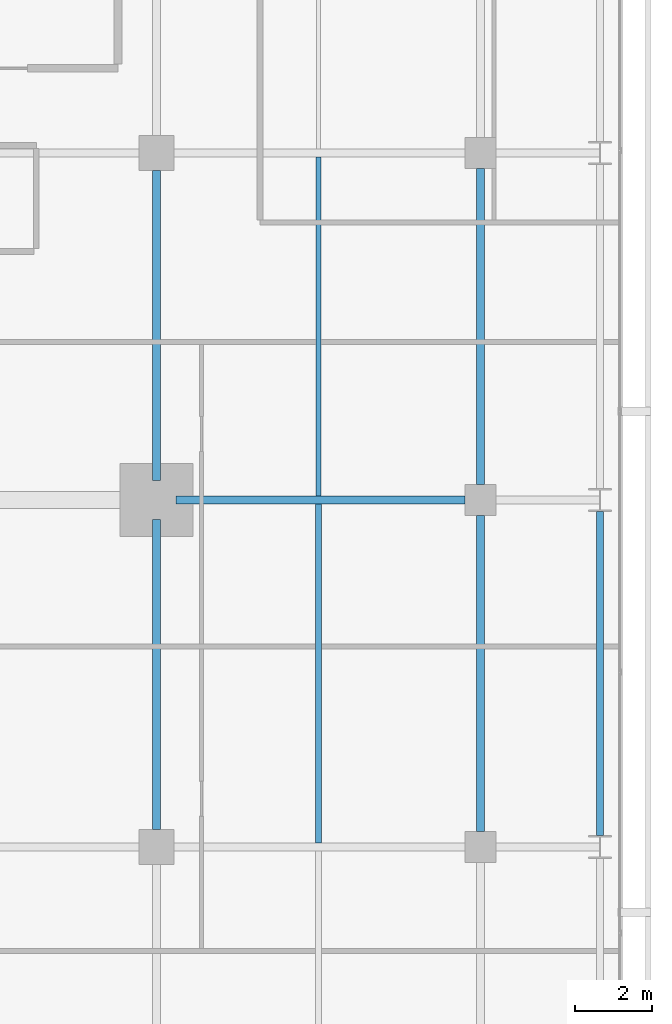
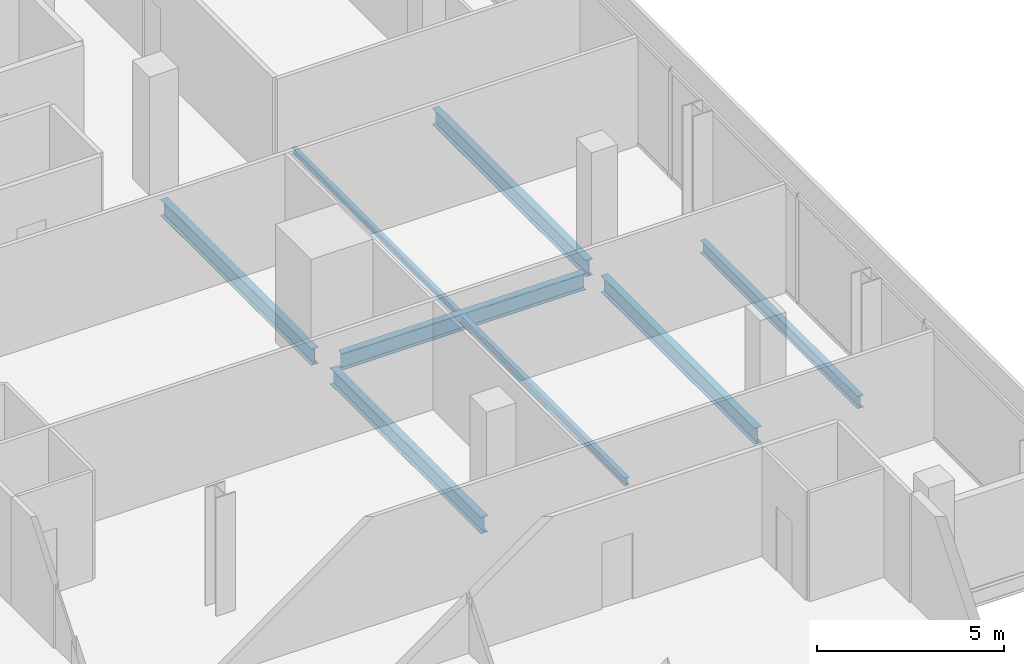
# One storey, part 16 of 32: 8 beams.
"""IFC4 building model written with IfcOpenShell, lengths in metres."""

from ifc_helpers import new_model, si_unit, direction, frame, origin, origin_2d, place, context, subcontext, project, spatial, i_section, extrude, material, material_profile, profile_set, type_object, element, save


model = new_model("IFC4")

# Units and contexts
model_context = context("Model", 3, precision=1e-05, world=origin(), true_north=direction((0.0, 1.0)))
body_context = subcontext(model_context, "Body", "Model", "MODEL_VIEW")
ifc_project = project(units=[si_unit("LENGTHUNIT", "METRE"), si_unit("AREAUNIT", "SQUARE_METRE"), si_unit("VOLUMEUNIT", "CUBIC_METRE"), si_unit("PLANEANGLEUNIT", "RADIAN"), si_unit("MASSUNIT", "GRAM", prefix="KILO")], contexts=[model_context])

# Site, building, storey
site_placement = place(None, origin())
site = spatial("IfcSite", under=ifc_project, at=site_placement, CompositionType="ELEMENT")
building_placement = place(site_placement, origin())
building = spatial("IfcBuilding", under=site, at=building_placement, Name="Maruvema Waterfront Hotel and Observation Tower", CompositionType="ELEMENT")
storey_placement = place(building_placement, frame((0.0, 0.0, 223.64990234375)))
storey = spatial("IfcBuildingStorey", under=building, at=storey_placement, Name="L55", CompositionType="ELEMENT", Elevation=223.64990234375)

# Beams
ifc_material_1 = material(Name="Steel ASTM A572 Grade 50", Category="steel")
ifc_material_profile_1 = material_profile(ifc_material_1, i_section(OverallWidth=0.178955078125, OverallDepth=0.409912109375, WebThickness=0.0087890625, FlangeThickness=0.014404296875, FilletRadius=0.014892578125, at=origin_2d()), Name="W410x67.0")
ifc_profile_set_1 = profile_set([ifc_material_profile_1], Name="Steel ASTM A572 Grade 50")
beam_type_1 = type_object("IfcBeamType", Name="Perimeter Spandrel Beam W410x67.0", PredefinedType="SPANDREL", material=ifc_profile_set_1)
beam_1_placement = place(storey_placement, frame((61.89990234375, 18.300048828125, -0.44482421875), z_axis=(0.0, 1.0, 0.0), x_axis=(-1.0, 0.0, 0.0)))
element("IfcBeam", 1, at=beam_1_placement, inside=storey, type_object=beam_type_1, Name="L55 Floor Girder NS-30", PredefinedType="SPANDREL", context=body_context, shape_type="SweptSolid", body=[
    extrude(i_section(OverallWidth=0.178955078125, OverallDepth=0.409912109375, WebThickness=0.0087890625, FlangeThickness=0.014404296875, FilletRadius=0.014892578125, at=origin_2d()), origin(), (0.0, 0.0, 1.0), 8.39990234375),
])
ifc_material_2 = material(Name="Steel ASTM A572 Grade 50", Category="steel")
ifc_material_profile_2 = material_profile(ifc_material_2, i_section(OverallWidth=0.2109375, OverallDepth=0.5390625, WebThickness=0.01171875, FlangeThickness=0.018798828125, FilletRadius=0.014892578125, at=origin_2d()), Name="W530x109.0")
ifc_profile_set_2 = profile_set([ifc_material_profile_2], Name="Steel ASTM A572 Grade 50")
beam_type_2 = type_object("IfcBeamType", Name="Primary Floor Girder W530x109.0", PredefinedType="BEAM", material=ifc_profile_set_2)
beam_2_placement = place(storey_placement, frame((50.89990234375, 27.0, -0.509521484375), z_axis=(1.0, 0.0, 0.0), x_axis=(0.0, 1.0, 0.0)))
element("IfcBeam", 2, at=beam_2_placement, inside=storey, type_object=beam_type_2, Name="L55 Floor Girder EW-21", PredefinedType="BEAM", context=body_context, shape_type="SweptSolid", body=[
    extrude(i_section(OverallWidth=0.2109375, OverallDepth=0.5390625, WebThickness=0.01171875, FlangeThickness=0.018798828125, FilletRadius=0.014892578125, at=origin_2d()), origin(), (0.0, 0.0, 1.0), 7.5),
])
for number, where, z_axis, x_axis, name in (
    (3, (50.39990234375, 18.449951171875, -0.509521484375), (0.0, 1.0, 0.0), (-1.0, 0.0, 0.0), "L55 Floor Girder NS-22"),
    (4, (50.39990234375, 27.5, -0.509521484375), (0.0, 1.0, 0.0), (-1.0, 0.0, 0.0), "L55 Floor Girder NS-23"),
):
    element("IfcBeam", number, at=place(storey_placement, frame(where, z_axis=z_axis, x_axis=x_axis)), inside=storey, type_object=beam_type_2, Name=name, PredefinedType="BEAM", context=body_context, shape_type="SweptSolid", body=[
        extrude(i_section(OverallWidth=0.2109375, OverallDepth=0.5390625, WebThickness=0.01171875, FlangeThickness=0.018798828125, FilletRadius=0.014892578125, at=origin_2d()), origin(), (0.0, 0.0, 1.0), 8.050048828125),
    ])
for number, where, z_axis, x_axis, name in (
    (5, (58.800048828125, 18.39990234375, -0.509521484375), (0.0, 1.0, 0.0), (-1.0, 0.0, 0.0), "L55 Floor Girder NS-26"),
    (6, (58.800048828125, 27.39990234375, -0.509521484375), (0.0, 1.0, 0.0), (-1.0, 0.0, 0.0), "L55 Floor Girder NS-27"),
):
    element("IfcBeam", number, at=place(storey_placement, frame(where, z_axis=z_axis, x_axis=x_axis)), inside=storey, type_object=beam_type_2, Name=name, PredefinedType="BEAM", context=body_context, shape_type="SweptSolid", body=[
        extrude(i_section(OverallWidth=0.2109375, OverallDepth=0.5390625, WebThickness=0.01171875, FlangeThickness=0.018798828125, FilletRadius=0.014892578125, at=origin_2d()), origin(), (0.0, 0.0, 1.0), 8.2001953125),
    ])
ifc_material_3 = material(Name="Steel ASTM A572 Grade 50", Category="steel")
ifc_material_profile_3 = material_profile(ifc_material_3, i_section(OverallWidth=0.133056640625, OverallDepth=0.20703125, WebThickness=0.005859375, FlangeThickness=0.00830078125, FilletRadius=0.010009765625, at=origin_2d()), Name="W200x26.6")
ifc_profile_set_3 = profile_set([ifc_material_profile_3], Name="Steel ASTM A572 Grade 50")
beam_type_3 = type_object("IfcBeamType", Name="Secondary Floor Joist W200x26.6", PredefinedType="JOIST", material=ifc_profile_set_3)
beam_3_placement = place(storey_placement, frame((54.60009765625, 27.10546875, -0.343505859375), z_axis=(0.0, 1.0, 0.0), x_axis=(-1.0, 0.0, 0.0)))
element("IfcBeam", 7, at=beam_3_placement, inside=storey, type_object=beam_type_3, Name="L55 Secondary Floor Joist JS-13", PredefinedType="JOIST", context=body_context, shape_type="SweptSolid", body=[
    extrude(i_section(OverallWidth=0.133056640625, OverallDepth=0.20703125, WebThickness=0.005859375, FlangeThickness=0.00830078125, FilletRadius=0.010009765625, at=origin_2d()), origin(), (0.0, 0.0, 1.0), 8.7890625),
])
ifc_material_4 = material(Name="Steel ASTM A572 Grade 50", Category="steel")
ifc_material_profile_4 = material_profile(ifc_material_4, i_section(OverallWidth=0.14599609375, OverallDepth=0.258056640625, WebThickness=0.006103515625, FlangeThickness=0.009033203125, FilletRadius=0.012939453125, at=origin_2d()), Name="W250x32.7")
ifc_profile_set_4 = profile_set([ifc_material_profile_4], Name="Steel ASTM A572 Grade 50")
beam_type_4 = type_object("IfcBeamType", Name="Secondary Floor Joist W250x32.7", PredefinedType="JOIST", material=ifc_profile_set_4)
beam_4_placement = place(storey_placement, frame((54.60009765625, 18.10546875, -0.368896484375), z_axis=(0.0, 1.0, 0.0), x_axis=(-1.0, 0.0, 0.0)))
element("IfcBeam", 8, at=beam_4_placement, inside=storey, type_object=beam_type_4, Name="L55 Secondary Floor Joist JS-12", PredefinedType="JOIST", context=body_context, shape_type="SweptSolid", body=[
    extrude(i_section(OverallWidth=0.14599609375, OverallDepth=0.258056640625, WebThickness=0.006103515625, FlangeThickness=0.009033203125, FilletRadius=0.012939453125, at=origin_2d()), origin(), (0.0, 0.0, 1.0), 8.7890625),
])

save(model, "model.ifc")
